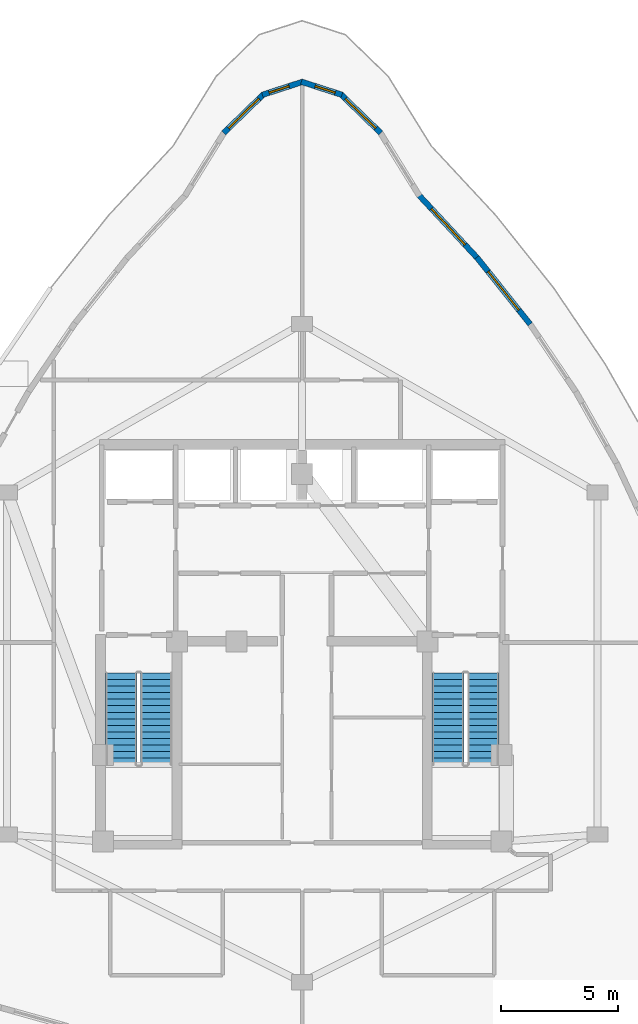
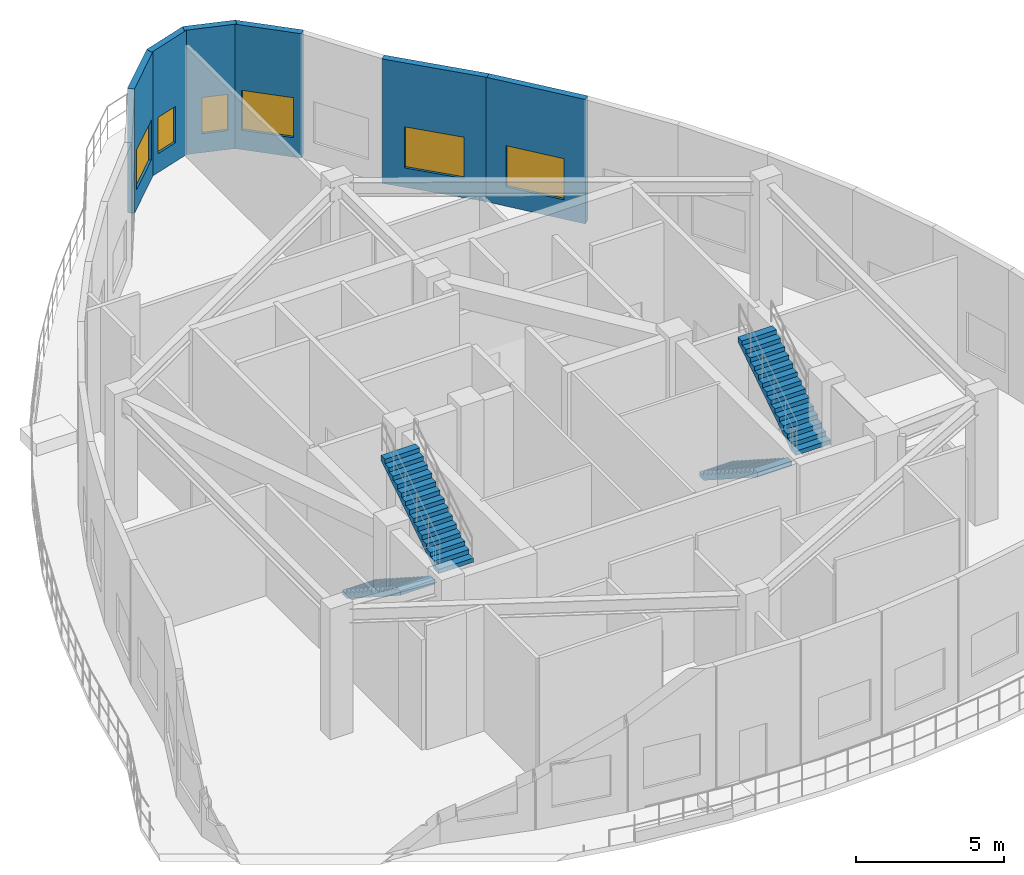
# One storey, part 7 of 11: 6 walls, 6 windows, 4 stair flights, 6 openings, 2 elements without a shape of their own.
"""IFC4 building model written with IfcOpenShell, lengths in metres."""

import ifcopenshell
import ifcopenshell.guid

model = None  # the IFC model being written
_history = None  # IfcOwnerHistory: only IFC2X3 demands one
_inside = {}  # id of a spatial element -> (the spatial element, [elements in it])
_under = {}  # id of a project, library or spatial element -> (it, [spatial elements below it])
_declared = {}  # id of a project -> (the project, [libraries it declares])
_typed = {}  # id of a type object -> (the type object, [elements of that type])
_made_of = {}  # id of a material, layer set ... -> (it, [elements and type objects made of it])


def new_model(schema):
    """Start an empty IFC model of exactly this schema.

    Asked for "IFC4X3", IfcOpenShell would pick the latest addendum, in which some entities
    have other attributes; the version numbers below select the first issue.
    IFC2X3 requires an IfcOwnerHistory on every rooted entity: one is made here for all.
    """
    global model, _history
    if schema == "IFC4X3":
        model = ifcopenshell.file(schema_version=(4, 3, 0, 0))
    else:
        model = ifcopenshell.file(schema=schema)
    _inside.clear()
    _under.clear()
    _declared.clear()
    _typed.clear()
    _made_of.clear()
    _history = None
    if model.schema == "IFC2X3":
        org = make("IfcOrganization", Name="unknown")
        user = make(
            "IfcPersonAndOrganization",
            ThePerson=make("IfcPerson", FamilyName="unknown"),
            TheOrganization=org,
        )
        app = make(
            "IfcApplication",
            ApplicationDeveloper=org,
            Version="unknown",
            ApplicationFullName="unknown",
            ApplicationIdentifier="unknown",
        )
        _history = make(
            "IfcOwnerHistory",
            OwningUser=user,
            OwningApplication=app,
            ChangeAction="ADDED",
            CreationDate=0,
        )
    return model


def make(cls, **values):
    """One entity of the class cls with the attributes given. An attribute that is None is left unset."""
    return model.create_entity(
        cls, **{name: value for name, value in values.items() if value is not None}
    )


def rooted(cls, **values):
    """An entity with a GlobalId (a new one), such as an element, a storey or a relation."""
    return make(cls, GlobalId=ifcopenshell.guid.new(), OwnerHistory=_history, **values)


def si_unit(unit_type, name, prefix=None):
    """IfcSIUnit, for example si_unit("LENGTHUNIT", "METRE", prefix="MILLI")."""
    return make("IfcSIUnit", UnitType=unit_type, Prefix=prefix, Name=name)


def assignment(units):
    """IfcUnitAssignment: the units of a project."""
    return None if units is None else make("IfcUnitAssignment", Units=units)


def point(xyz):
    """IfcCartesianPoint."""
    return None if xyz is None else make("IfcCartesianPoint", Coordinates=xyz)


def direction(xyz):
    """IfcDirection."""
    return None if xyz is None else make("IfcDirection", DirectionRatios=xyz)


def frame(location, z_axis=None, x_axis=None):
    """IfcAxis2Placement3D, a coordinate frame: its origin and axes. An axis left out is left unset."""
    return make(
        "IfcAxis2Placement3D",
        Location=point(location),
        Axis=direction(z_axis),
        RefDirection=direction(x_axis),
    )


def frame_2d(location, x_axis=None):
    """IfcAxis2Placement2D, a coordinate frame in the plane: its origin and x axis."""
    return make(
        "IfcAxis2Placement2D", Location=point(location), RefDirection=direction(x_axis)
    )


def origin():
    """The frame at (0, 0, 0) with its axes left unset."""
    return frame((0.0, 0.0, 0.0))


def place(relative_to, where):
    """IfcLocalPlacement: puts the frame where relative to a parent placement (None: the world)."""
    return make(
        "IfcLocalPlacement", PlacementRelTo=relative_to, RelativePlacement=where
    )


def context(
    kind, dimensions, precision=None, world=None, true_north=None, identifier=None
):
    """IfcGeometricRepresentationContext, for example the 3D "Model" context."""
    return make(
        "IfcGeometricRepresentationContext",
        ContextIdentifier=identifier,
        ContextType=kind,
        CoordinateSpaceDimension=dimensions,
        Precision=precision,
        WorldCoordinateSystem=world,
        TrueNorth=true_north,
    )


def subcontext(parent, identifier, kind, view, scale=None):
    """IfcGeometricRepresentationSubContext, for example "Body" below "Model"."""
    return make(
        "IfcGeometricRepresentationSubContext",
        ContextIdentifier=identifier,
        ContextType=kind,
        ParentContext=parent,
        TargetScale=scale,
        TargetView=view,
    )


def project(units=None, contexts=None):
    """IfcProject with its units and contexts."""
    return rooted(
        "IfcProject",
        Name="project",
        RepresentationContexts=contexts,
        UnitsInContext=assignment(units),
    )


def spatial(cls, under=None, at=None, **own):
    """A site, building, storey or space (cls), placed at a placement, below another one or the project."""
    s = rooted(cls, ObjectPlacement=at, **own)
    if under is not None:
        _under.setdefault(under.id(), (under, []))[1].append(s)
    return s


def polyline(points):
    """IfcPolyline through the points."""
    return make("IfcPolyline", Points=[point(p) for p in points])


def profile(cls, at=None, kind="AREA", **sizes):
    """A parametric profile (cls). Its sizes go by their IFC names, for example OverallWidth=200.0."""
    return make(cls, ProfileType=kind, Position=at, **sizes)


def rectangle(**sizes):
    """IfcRectangleProfileDef."""
    return profile("IfcRectangleProfileDef", **sizes)


def outline(outer, holes=None, kind="AREA"):
    """IfcArbitraryClosedProfileDef: a profile drawn as a closed curve; with holes, ...WithVoids."""
    if holes is None:
        return make("IfcArbitraryClosedProfileDef", ProfileType=kind, OuterCurve=outer)
    return make(
        "IfcArbitraryProfileDefWithVoids",
        ProfileType=kind,
        OuterCurve=outer,
        InnerCurves=holes,
    )


def extrude(swept, where, along, depth):
    """IfcExtrudedAreaSolid: the profile swept, set in the frame where, extruded along a direction by depth."""
    return make(
        "IfcExtrudedAreaSolid",
        SweptArea=swept,
        Position=where,
        ExtrudedDirection=direction(along),
        Depth=depth,
    )


def shape(context_of_items, identifier, shape_type, items):
    """IfcShapeRepresentation: the items that make up one representation, for example the "Body"."""
    return make(
        "IfcShapeRepresentation",
        ContextOfItems=context_of_items,
        RepresentationIdentifier=identifier,
        RepresentationType=shape_type,
        Items=items,
    )


def material(Name=None, Category=None):
    """IfcMaterial."""
    return make("IfcMaterial", Name=Name, Category=Category)


def layer(
    of_material, thickness, ventilated=None, Name=None, Category=None, Priority=None
):
    """IfcMaterialLayer: one layer of a wall or slab, of a material (None: an air gap)."""
    return make(
        "IfcMaterialLayer",
        Material=of_material,
        LayerThickness=thickness,
        IsVentilated=ventilated,
        Name=Name,
        Category=Category,
        Priority=Priority,
    )


def layer_set(layers, Name=None):
    """IfcMaterialLayerSet."""
    return make("IfcMaterialLayerSet", MaterialLayers=layers, LayerSetName=Name)


def made_of(thing, what):
    """Note that an element or type object is made of a material, layer set ...; save() writes the relation."""
    if what is not None:
        _made_of.setdefault(what.id(), (what, []))[1].append(thing)
    return thing


def type_object(cls, material=None, **own):
    """A type object (cls), such as IfcWallType, which elements share."""
    return made_of(rooted(cls, **own), material)


def element(
    cls,
    number,
    at=None,
    inside=None,
    cuts=None,
    type_object=None,
    material=None,
    context=None,
    identifier="Body",
    shape_type=None,
    held_by="IfcProductDefinitionShape",
    body=None,
    shapes=None,
    **own,
):
    """One element of the class cls, such as IfcWall. Its Tag is "e" and its number.

    at: its placement. inside: the storey or other place that contains it. cuts: it is an
    opening in that element (IfcRelVoidsElement). A single representation is given by context,
    identifier, shape_type and body (its items); several are given by shapes. held_by: the class
    of the entity that holds the representations. save() writes the other relations.
    """
    e = rooted(cls, Tag="e%d" % number, ObjectPlacement=at, **own)
    if body is not None:
        shapes = [shape(context, identifier, shape_type, body)]
    if shapes is not None:
        e.Representation = make(held_by, Representations=shapes)
    if inside is not None:
        _inside.setdefault(inside.id(), (inside, []))[1].append(e)
    if cuts is not None:
        rooted(
            "IfcRelVoidsElement", RelatingBuildingElement=cuts, RelatedOpeningElement=e
        )
    if type_object is not None:
        _typed.setdefault(type_object.id(), (type_object, []))[1].append(e)
    return made_of(e, material)


def fill(opening, filler):
    """IfcRelFillsElement: the door or window that sits in an opening."""
    return rooted(
        "IfcRelFillsElement",
        RelatingOpeningElement=opening,
        RelatedBuildingElement=filler,
    )


def aggregate(whole, parts):
    """IfcRelAggregates: a whole, such as a stair, and the parts it consists of."""
    return rooted("IfcRelAggregates", RelatingObject=whole, RelatedObjects=parts)


def save(model, path):
    """Write the relations noted so far, then the file.

    IfcRelAggregates (storeys below a building ...), IfcRelContainedInSpatialStructure (elements
    in a storey), IfcRelDefinesByType, IfcRelAssociatesMaterial and IfcRelDeclares: one each for
    every whole, place, type object, material and project.
    """
    for whole, parts in _under.values():
        aggregate(whole, parts)
    for where, things in _inside.values():
        rooted(
            "IfcRelContainedInSpatialStructure",
            RelatedElements=things,
            RelatingStructure=where,
        )
    for kind, things in _typed.values():
        rooted("IfcRelDefinesByType", RelatedObjects=things, RelatingType=kind)
    for what, things in _made_of.values():
        rooted("IfcRelAssociatesMaterial", RelatedObjects=things, RelatingMaterial=what)
    for by, libraries in _declared.values():
        rooted("IfcRelDeclares", RelatingContext=by, RelatedDefinitions=libraries)
    model.write(path)


model = new_model("IFC4")

# Units and contexts
model_context = context("Model", 3, precision=1e-05, world=origin(), true_north=direction((0.0, 1.0)))
body_context = subcontext(model_context, "Body", "Model", "MODEL_VIEW")
ifc_project = project(units=[si_unit("LENGTHUNIT", "METRE"), si_unit("AREAUNIT", "SQUARE_METRE"), si_unit("VOLUMEUNIT", "CUBIC_METRE"), si_unit("PLANEANGLEUNIT", "RADIAN"), si_unit("MASSUNIT", "GRAM", prefix="KILO")], contexts=[model_context])

# Site, building, storey
site_placement = place(None, origin())
site = spatial("IfcSite", under=ifc_project, at=site_placement, CompositionType="ELEMENT")
building_placement = place(site_placement, origin())
building = spatial("IfcBuilding", under=site, at=building_placement, Name="Miruveldt Soraemaru", CompositionType="ELEMENT")
storey_placement = place(building_placement, frame((0.0, 0.0, 295.39990234375)))
storey = spatial("IfcBuildingStorey", under=building, at=storey_placement, Name="L79", CompositionType="ELEMENT", Elevation=295.39990234375)

# Wall, opening, window
ifc_material_1 = material(Name="Precast concrete C45/55 (45 MPa)", Category="concrete")
ifc_layer = layer(ifc_material_1, 0.239990234375, Name="Precast concrete C45/55 (45 MPa)", Category="concrete")
ifc_layer_set = layer_set([ifc_layer], Name="Precast concrete C45/55 (45 MPa)")
wall_type = type_object("IfcWallType", Name="WALL-EXT-PC240", PredefinedType="SOLIDWALL", material=ifc_layer_set)
wall_1_placement = place(storey_placement, frame((47.352294921875, 65.7509765625, 0.0), z_axis=(0.0, 0.0, 1.0), x_axis=(-0.717711443968, 0.69634063733, 0.0)))
wall_1 = element("IfcWall", 1, at=wall_1_placement, inside=storey, type_object=wall_type, Name="L79 Precast Concrete Facade Wall 2", PredefinedType="SOLIDWALL", context=body_context, shape_type="SweptSolid", body=[
    extrude(rectangle(XDim=2.3876953125, YDim=0.239990234375, at=frame_2d((1.19384765625, 0.0))), origin(), (0.0, 0.0, 1.0), 5.14013671875),
])
opening_1_placement = place(wall_1_placement, frame((0.2939453125, 0.0, 0.800048828125)))
opening_1 = element("IfcOpeningElement", 2, at=opening_1_placement, cuts=wall_1, Name="Opening WN-2", PredefinedType="OPENING", context=body_context, shape_type="SweptSolid", body=[
    extrude(rectangle(XDim=1.800048828125, YDim=1.64990234375, at=frame_2d((0.89990234375, 0.824951171875))), frame((0.0, 0.1298828125, 0.0), z_axis=(0.0, -1.0, 0.0), x_axis=(1.0, 0.0, 0.0)), (0.0, 0.0, 1.0), 0.260009765625),
])
ifc_material_2 = material(Name="Triple low-e insulated glazing", Category="glass")
window_type_1 = type_object("IfcWindowType", Name="WIN-PUNCH-1800x1650", PartitioningType="SINGLE_PANEL", PredefinedType="WINDOW", material=ifc_material_2)
window_1_placement = place(opening_1_placement, origin())
window_1 = element("IfcWindow", 3, at=window_1_placement, inside=storey, type_object=window_type_1, Name="L79 Punched Triple-Glazed Window 02.1", OverallHeight=1.64990234375, OverallWidth=1.800048828125, PartitioningType="SINGLE_PANEL", PredefinedType="WINDOW", context=body_context, shape_type="SweptSolid", body=[
    extrude(rectangle(XDim=1.800048828125, YDim=1.64990234375, at=frame_2d((0.89990234375, 0.824951171875))), frame((0.0, 0.030029296875, 0.0), z_axis=(0.0, -1.0, 0.0), x_axis=(1.0, 0.0, 0.0)), (0.0, 0.0, 1.0), 0.06005859375),
])
fill(opening_1, window_1)

wall_2_placement = place(storey_placement, frame((45.697021484375, 67.37841796875, 0.0), z_axis=(0.0, 0.0, 1.0), x_axis=(-0.951517353151, 0.307595069292, 0.0)))
wall_2 = element("IfcWall", 4, at=wall_2_placement, inside=storey, type_object=wall_type, Name="L79 Precast Concrete Facade Wall 3", PredefinedType="SOLIDWALL", context=body_context, shape_type="SweptSolid", body=[
    extrude(rectangle(XDim=1.818359375, YDim=0.239990234375, at=frame_2d((0.9091796875, 0.0))), origin(), (0.0, 0.0, 1.0), 5.14013671875),
])
opening_2_placement = place(wall_2_placement, frame((0.300048828125, 0.0, 0.780029296875)))
opening_2 = element("IfcOpeningElement", 5, at=opening_2_placement, cuts=wall_2, Name="Opening WN-7", PredefinedType="OPENING", context=body_context, shape_type="SweptSolid", body=[
    extrude(rectangle(XDim=0.89990234375, YDim=1.5, at=frame_2d((0.449951171875, 0.75))), frame((0.0, 0.1298828125, 0.0), z_axis=(0.0, -1.0, 0.0), x_axis=(1.0, 0.0, 0.0)), (0.0, 0.0, 1.0), 0.260009765625),
])
window_type_2 = type_object("IfcWindowType", Name="WIN-PUNCH-900x1500", PartitioningType="SINGLE_PANEL", PredefinedType="WINDOW", material=ifc_material_2)
window_2_placement = place(opening_2_placement, origin())
window_2 = element("IfcWindow", 6, at=window_2_placement, inside=storey, type_object=window_type_2, Name="L79 Punched Triple-Glazed Window 03.1", OverallHeight=1.5, OverallWidth=0.89990234375, PartitioningType="SINGLE_PANEL", PredefinedType="WINDOW", context=body_context, shape_type="SweptSolid", body=[
    extrude(rectangle(XDim=0.89990234375, YDim=1.5, at=frame_2d((0.449951171875, 0.75))), frame((0.0, 0.030029296875, 0.0), z_axis=(0.0, -1.0, 0.0), x_axis=(1.0, 0.0, 0.0)), (0.0, 0.0, 1.0), 0.06005859375),
])
fill(opening_2, window_2)

wall_3_placement = place(storey_placement, frame((44.033203125, 67.937744140625, 0.0), z_axis=(0.0, 0.0, 1.0), x_axis=(-0.951517353151, -0.307595069292, 0.0)))
wall_3 = element("IfcWall", 7, at=wall_3_placement, inside=storey, type_object=wall_type, Name="L79 Precast Concrete Facade Wall 4", PredefinedType="SOLIDWALL", context=body_context, shape_type="SweptSolid", body=[
    extrude(rectangle(XDim=1.818359375, YDim=0.239990234375, at=frame_2d((0.9091796875, 0.0))), origin(), (0.0, 0.0, 1.0), 5.14013671875),
])
opening_3_placement = place(wall_3_placement, frame((0.618896484375, 0.0, 0.780029296875)))
opening_3 = element("IfcOpeningElement", 8, at=opening_3_placement, cuts=wall_3, Name="Opening WN-7", PredefinedType="OPENING", context=body_context, shape_type="SweptSolid", body=[
    extrude(rectangle(XDim=0.89990234375, YDim=1.5, at=frame_2d((0.449951171875, 0.75))), frame((0.0, 0.1298828125, 0.0), z_axis=(0.0, -1.0, 0.0), x_axis=(1.0, 0.0, 0.0)), (0.0, 0.0, 1.0), 0.260009765625),
])
window_3_placement = place(opening_3_placement, origin())
window_3 = element("IfcWindow", 9, at=window_3_placement, inside=storey, type_object=window_type_2, Name="L79 Punched Triple-Glazed Window 04.1", OverallHeight=1.5, OverallWidth=0.89990234375, PartitioningType="SINGLE_PANEL", PredefinedType="WINDOW", context=body_context, shape_type="SweptSolid", body=[
    extrude(rectangle(XDim=0.89990234375, YDim=1.5, at=frame_2d((0.449951171875, 0.75))), frame((0.0, 0.030029296875, 0.0), z_axis=(0.0, -1.0, 0.0), x_axis=(1.0, 0.0, 0.0)), (0.0, 0.0, 1.0), 0.06005859375),
])
fill(opening_3, window_3)

wall_4_placement = place(storey_placement, frame((42.361328125, 67.41357421875, 0.0), z_axis=(0.0, 0.0, 1.0), x_axis=(-0.717711443968, -0.69634063733, 0.0)))
wall_4 = element("IfcWall", 10, at=wall_4_placement, inside=storey, type_object=wall_type, Name="L79 Precast Concrete Facade Wall 5", PredefinedType="SOLIDWALL", context=body_context, shape_type="SweptSolid", body=[
    extrude(rectangle(XDim=2.3876953125, YDim=0.239990234375, at=frame_2d((1.19384765625, 0.0))), origin(), (0.0, 0.0, 1.0), 5.14013671875),
])
opening_4_placement = place(wall_4_placement, frame((0.2939453125, 0.0, 0.800048828125)))
opening_4 = element("IfcOpeningElement", 11, at=opening_4_placement, cuts=wall_4, Name="Opening WN-2", PredefinedType="OPENING", context=body_context, shape_type="SweptSolid", body=[
    extrude(rectangle(XDim=1.800048828125, YDim=1.64990234375, at=frame_2d((0.89990234375, 0.824951171875))), frame((0.0, 0.1298828125, 0.0), z_axis=(0.0, -1.0, 0.0), x_axis=(1.0, 0.0, 0.0)), (0.0, 0.0, 1.0), 0.260009765625),
])
window_4_placement = place(opening_4_placement, origin())
window_4 = element("IfcWindow", 12, at=window_4_placement, inside=storey, type_object=window_type_1, Name="L79 Punched Triple-Glazed Window 05.1", OverallHeight=1.64990234375, OverallWidth=1.800048828125, PartitioningType="SINGLE_PANEL", PredefinedType="WINDOW", context=body_context, shape_type="SweptSolid", body=[
    extrude(rectangle(XDim=1.800048828125, YDim=1.64990234375, at=frame_2d((0.89990234375, 0.824951171875))), frame((0.0, 0.030029296875, 0.0), z_axis=(0.0, -1.0, 0.0), x_axis=(1.0, 0.0, 0.0)), (0.0, 0.0, 1.0), 0.06005859375),
])
fill(opening_4, window_4)

wall_5_placement = place(storey_placement, frame((53.732421875, 57.58447265625, 0.0), z_axis=(0.0, 0.0, 1.0), x_axis=(-0.623626980574, 0.781722066402, 0.0)))
wall_5 = element("IfcWall", 13, at=wall_5_placement, inside=storey, type_object=wall_type, Name="L79 Precast Concrete Facade Wall 41", PredefinedType="SOLIDWALL", context=body_context, shape_type="SweptSolid", body=[
    extrude(rectangle(XDim=3.65380859375, YDim=0.239990234375, at=frame_2d((1.826904296875, 0.0))), origin(), (0.0, 0.0, 1.0), 5.14013671875),
])
opening_5_placement = place(wall_5_placement, frame((0.777099609375, 0.0, 0.800048828125)))
opening_5 = element("IfcOpeningElement", 14, at=opening_5_placement, cuts=wall_5, Name="Opening WN-1", PredefinedType="OPENING", context=body_context, shape_type="SweptSolid", body=[
    extrude(rectangle(XDim=2.10009765625, YDim=1.699951171875, at=frame_2d((1.050048828125, 0.85009765625))), frame((0.0, 0.1298828125, 0.0), z_axis=(0.0, -1.0, 0.0), x_axis=(1.0, 0.0, 0.0)), (0.0, 0.0, 1.0), 0.260009765625),
])
window_type_3 = type_object("IfcWindowType", Name="WIN-PUNCH-2100x1700", PartitioningType="SINGLE_PANEL", PredefinedType="WINDOW", material=ifc_material_2)
window_5_placement = place(opening_5_placement, origin())
window_5 = element("IfcWindow", 15, at=window_5_placement, inside=storey, type_object=window_type_3, Name="L79 Punched Triple-Glazed Window 41.1", OverallHeight=1.699951171875, OverallWidth=2.10009765625, PartitioningType="SINGLE_PANEL", PredefinedType="WINDOW", context=body_context, shape_type="SweptSolid", body=[
    extrude(rectangle(XDim=2.10009765625, YDim=1.699951171875, at=frame_2d((1.050048828125, 0.85009765625))), frame((0.0, 0.030029296875, 0.0), z_axis=(0.0, -1.0, 0.0), x_axis=(1.0, 0.0, 0.0)), (0.0, 0.0, 1.0), 0.06005859375),
])
fill(opening_5, window_5)

wall_6_placement = place(storey_placement, frame((51.49951171875, 60.3876953125, 0.0), z_axis=(0.0, 0.0, 1.0), x_axis=(-0.68087147599, 0.732402917241, 0.0)))
wall_6 = element("IfcWall", 16, at=wall_6_placement, inside=storey, type_object=wall_type, Name="L79 Precast Concrete Facade Wall 42", PredefinedType="SOLIDWALL", context=body_context, shape_type="SweptSolid", body=[
    extrude(rectangle(XDim=3.718994140625, YDim=0.239990234375, at=frame_2d((1.859375, 0.0))), origin(), (0.0, 0.0, 1.0), 5.14013671875),
])
opening_6_placement = place(wall_6_placement, frame((0.81005859375, 0.0, 0.800048828125)))
opening_6 = element("IfcOpeningElement", 17, at=opening_6_placement, cuts=wall_6, Name="Opening WN-1", PredefinedType="OPENING", context=body_context, shape_type="SweptSolid", body=[
    extrude(rectangle(XDim=2.10009765625, YDim=1.699951171875, at=frame_2d((1.050048828125, 0.85009765625))), frame((0.0, 0.1298828125, 0.0), z_axis=(0.0, -1.0, 0.0), x_axis=(1.0, 0.0, 0.0)), (0.0, 0.0, 1.0), 0.260009765625),
])
window_6_placement = place(opening_6_placement, origin())
window_6 = element("IfcWindow", 18, at=window_6_placement, inside=storey, type_object=window_type_3, Name="L79 Punched Triple-Glazed Window 42.1", OverallHeight=1.699951171875, OverallWidth=2.10009765625, PartitioningType="SINGLE_PANEL", PredefinedType="WINDOW", context=body_context, shape_type="SweptSolid", body=[
    extrude(rectangle(XDim=2.10009765625, YDim=1.699951171875, at=frame_2d((1.050048828125, 0.85009765625))), frame((0.0, 0.030029296875, 0.0), z_axis=(0.0, -1.0, 0.0), x_axis=(1.0, 0.0, 0.0)), (0.0, 0.0, 1.0), 0.06005859375),
])
fill(opening_6, window_6)

# Stair, stair flights
ifc_material_3 = material(Name="Concrete C40/50 (40 MPa)", Category="concrete")
stair_type = type_object("IfcStairType", Name="STAIR-DL-540", PredefinedType="HALF_TURN_STAIR", material=ifc_material_3)
stair_1_placement = place(storey_placement, origin())
stair_1 = element("IfcStair", 19, at=stair_1_placement, inside=storey, type_object=stair_type, Name="L79 Protected Exit Stair ST-1", PredefinedType="HALF_TURN_STAIR")
stair_flight_type = type_object("IfcStairFlightType", Name="SFL-DL-540", PredefinedType="STRAIGHT", material=ifc_material_3)
stair_flight_1_placement = place(storey_placement, frame((36.27490234375, 42.699951171875, 0.0), z_axis=(0.0, 0.0, 1.0), x_axis=(0.0, -1.0, 0.0)))
stair_flight_1 = element("IfcStairFlight", 20, at=stair_flight_1_placement, type_object=stair_flight_type, Name="ST-1 flight 1", NumberOfRisers=15, NumberOfTreads=14, PredefinedType="STRAIGHT", RiserHeight=0.18, TreadLength=0.28, context=body_context, shape_type="SweptSolid", body=[
    extrude(outline(polyline([(0.0, 0.0), (0.0, 0.179931640625), (0.280029296875, 0.179931640625), (0.280029296875, 0.360107421875), (0.56005859375, 0.360107421875), (0.56005859375, 0.5400390625), (0.840087890625, 0.5400390625), (0.840087890625, 0.719970703125), (1.1201171875, 0.719970703125), (1.1201171875, 0.89990234375), (1.39990234375, 0.89990234375), (1.39990234375, 1.080078125), (1.679931640625, 1.080078125), (1.679931640625, 1.260009765625), (1.9599609375, 1.260009765625), (1.9599609375, 1.43994140625), (2.239990234375, 1.43994140625), (2.239990234375, 1.6201171875), (2.52001953125, 1.6201171875), (2.52001953125, 1.800048828125), (2.800048828125, 1.800048828125), (2.800048828125, 1.97998046875), (3.080078125, 1.97998046875), (3.080078125, 2.159912109375), (3.360107421875, 2.159912109375), (3.360107421875, 2.340087890625), (3.639892578125, 2.340087890625), (3.639892578125, 2.52001953125), (3.919921875, 2.52001953125), (3.919921875, 2.699951171875), (3.919921875, 2.329833984375), (0.295654296875, 0.0), (0.0, 0.0)])), frame((0.0, 0.675048828125, 0.0), z_axis=(0.0, -1.0, 0.0), x_axis=(1.0, 0.0, 0.0)), (0.0, 0.0, 1.0), 1.35009765625),
])
stair_flight_2_placement = place(storey_placement, frame((37.77490234375, 38.780029296875, 2.7001953125), z_axis=(0.0, 0.0, 1.0), x_axis=(0.0, 1.0, 0.0)))
stair_flight_2 = element("IfcStairFlight", 21, at=stair_flight_2_placement, type_object=stair_flight_type, Name="ST-1 flight 2", NumberOfRisers=15, NumberOfTreads=14, PredefinedType="STRAIGHT", RiserHeight=0.18, TreadLength=0.28, context=body_context, shape_type="SweptSolid", body=[
    extrude(outline(polyline([(0.0, 0.0), (0.0, 0.179931640625), (0.280029296875, 0.179931640625), (0.280029296875, 0.360107421875), (0.56005859375, 0.360107421875), (0.56005859375, 0.5400390625), (0.840087890625, 0.5400390625), (0.840087890625, 0.719970703125), (1.1201171875, 0.719970703125), (1.1201171875, 0.89990234375), (1.39990234375, 0.89990234375), (1.39990234375, 1.080078125), (1.679931640625, 1.080078125), (1.679931640625, 1.260009765625), (1.9599609375, 1.260009765625), (1.9599609375, 1.43994140625), (2.239990234375, 1.43994140625), (2.239990234375, 1.6201171875), (2.52001953125, 1.6201171875), (2.52001953125, 1.800048828125), (2.800048828125, 1.800048828125), (2.800048828125, 1.97998046875), (3.080078125, 1.97998046875), (3.080078125, 2.159912109375), (3.360107421875, 2.159912109375), (3.360107421875, 2.340087890625), (3.639892578125, 2.340087890625), (3.639892578125, 2.52001953125), (3.919921875, 2.52001953125), (3.919921875, 2.699951171875), (3.919921875, 2.329833984375), (0.295654296875, 0.0), (0.0, 0.0)])), frame((0.0, 0.675048828125, 0.0), z_axis=(0.0, -1.0, 0.0), x_axis=(1.0, 0.0, 0.0)), (0.0, 0.0, 1.0), 1.35009765625),
])
aggregate(stair_1, [stair_flight_1, stair_flight_2])

stair_2_placement = place(storey_placement, origin())
stair_2 = element("IfcStair", 22, at=stair_2_placement, inside=storey, type_object=stair_type, Name="L79 Protected Exit Stair ST-2", PredefinedType="HALF_TURN_STAIR")
stair_flight_3_placement = place(storey_placement, frame((50.22509765625, 42.699951171875, 0.0), z_axis=(0.0, 0.0, 1.0), x_axis=(0.0, -1.0, 0.0)))
stair_flight_3 = element("IfcStairFlight", 23, at=stair_flight_3_placement, type_object=stair_flight_type, Name="ST-2 flight 1", NumberOfRisers=15, NumberOfTreads=14, PredefinedType="STRAIGHT", RiserHeight=0.18, TreadLength=0.28, context=body_context, shape_type="SweptSolid", body=[
    extrude(outline(polyline([(0.0, 0.0), (0.0, 0.179931640625), (0.280029296875, 0.179931640625), (0.280029296875, 0.360107421875), (0.56005859375, 0.360107421875), (0.56005859375, 0.5400390625), (0.840087890625, 0.5400390625), (0.840087890625, 0.719970703125), (1.1201171875, 0.719970703125), (1.1201171875, 0.89990234375), (1.39990234375, 0.89990234375), (1.39990234375, 1.080078125), (1.679931640625, 1.080078125), (1.679931640625, 1.260009765625), (1.9599609375, 1.260009765625), (1.9599609375, 1.43994140625), (2.239990234375, 1.43994140625), (2.239990234375, 1.6201171875), (2.52001953125, 1.6201171875), (2.52001953125, 1.800048828125), (2.800048828125, 1.800048828125), (2.800048828125, 1.97998046875), (3.080078125, 1.97998046875), (3.080078125, 2.159912109375), (3.360107421875, 2.159912109375), (3.360107421875, 2.340087890625), (3.639892578125, 2.340087890625), (3.639892578125, 2.52001953125), (3.919921875, 2.52001953125), (3.919921875, 2.699951171875), (3.919921875, 2.329833984375), (0.295654296875, 0.0), (0.0, 0.0)])), frame((0.0, 0.675048828125, 0.0), z_axis=(0.0, -1.0, 0.0), x_axis=(1.0, 0.0, 0.0)), (0.0, 0.0, 1.0), 1.35009765625),
])
stair_flight_4_placement = place(storey_placement, frame((51.72509765625, 38.780029296875, 2.7001953125), z_axis=(0.0, 0.0, 1.0), x_axis=(0.0, 1.0, 0.0)))
stair_flight_4 = element("IfcStairFlight", 24, at=stair_flight_4_placement, type_object=stair_flight_type, Name="ST-2 flight 2", NumberOfRisers=15, NumberOfTreads=14, PredefinedType="STRAIGHT", RiserHeight=0.18, TreadLength=0.28, context=body_context, shape_type="SweptSolid", body=[
    extrude(outline(polyline([(0.0, 0.0), (0.0, 0.179931640625), (0.280029296875, 0.179931640625), (0.280029296875, 0.360107421875), (0.56005859375, 0.360107421875), (0.56005859375, 0.5400390625), (0.840087890625, 0.5400390625), (0.840087890625, 0.719970703125), (1.1201171875, 0.719970703125), (1.1201171875, 0.89990234375), (1.39990234375, 0.89990234375), (1.39990234375, 1.080078125), (1.679931640625, 1.080078125), (1.679931640625, 1.260009765625), (1.9599609375, 1.260009765625), (1.9599609375, 1.43994140625), (2.239990234375, 1.43994140625), (2.239990234375, 1.6201171875), (2.52001953125, 1.6201171875), (2.52001953125, 1.800048828125), (2.800048828125, 1.800048828125), (2.800048828125, 1.97998046875), (3.080078125, 1.97998046875), (3.080078125, 2.159912109375), (3.360107421875, 2.159912109375), (3.360107421875, 2.340087890625), (3.639892578125, 2.340087890625), (3.639892578125, 2.52001953125), (3.919921875, 2.52001953125), (3.919921875, 2.699951171875), (3.919921875, 2.329833984375), (0.295654296875, 0.0), (0.0, 0.0)])), frame((0.0, 0.675048828125, 0.0), z_axis=(0.0, -1.0, 0.0), x_axis=(1.0, 0.0, 0.0)), (0.0, 0.0, 1.0), 1.35009765625),
])
aggregate(stair_2, [stair_flight_3, stair_flight_4])

save(model, "model.ifc")
